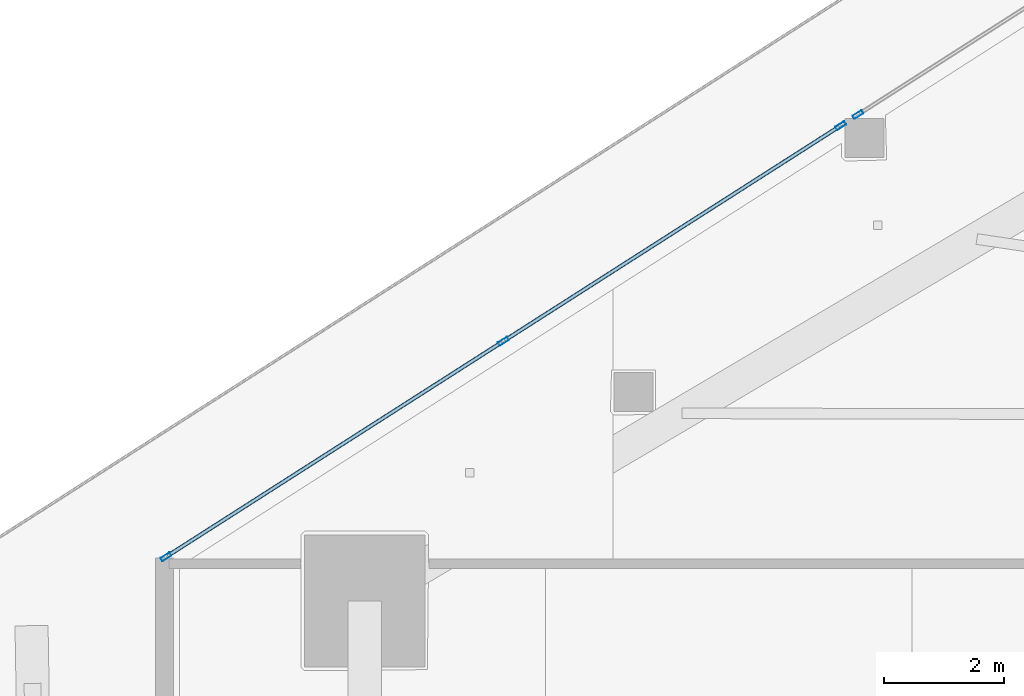
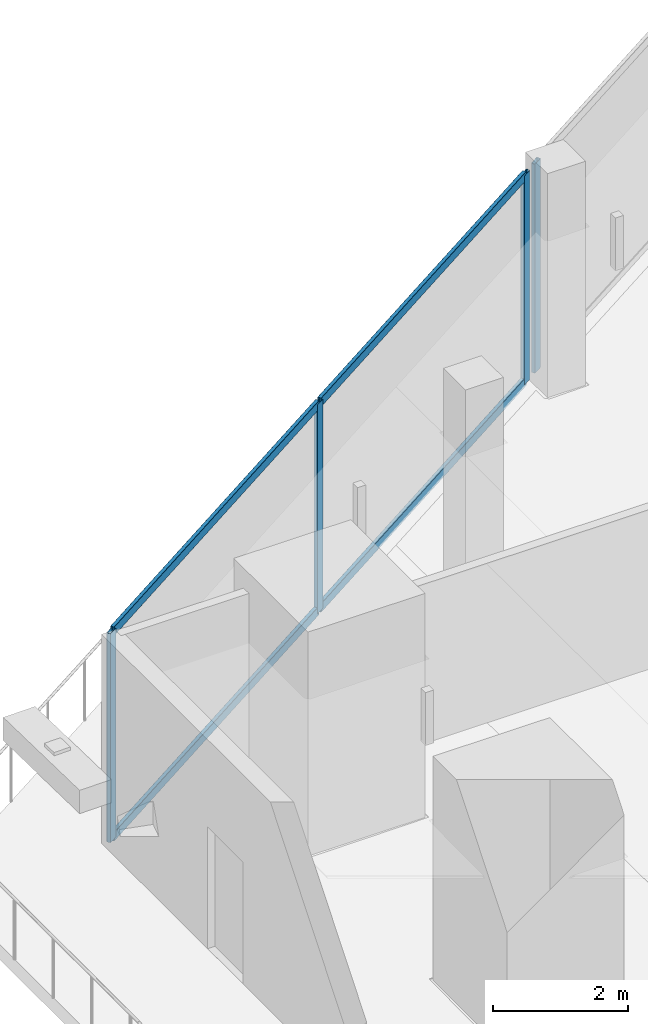
# One storey, part 14 of 39: 8 members, 2 elements without a shape of their own.
"""IFC4 building model written with IfcOpenShell, lengths in metres."""

from ifc_helpers import new_model, si_unit, direction, frame, origin, origin_2d, place, context, subcontext, project, spatial, hollow_rectangle, extrude, material, layer, layer_set, material_profile, profile_set, type_object, element, aggregate, save


model = new_model("IFC4")

# Units and contexts
model_context = context("Model", 3, precision=1e-05, world=origin(), true_north=direction((0.0, 1.0)))
body_context = subcontext(model_context, "Body", "Model", "MODEL_VIEW")
ifc_project = project(units=[si_unit("LENGTHUNIT", "METRE"), si_unit("AREAUNIT", "SQUARE_METRE"), si_unit("VOLUMEUNIT", "CUBIC_METRE"), si_unit("PLANEANGLEUNIT", "RADIAN"), si_unit("MASSUNIT", "GRAM", prefix="KILO")], contexts=[model_context])

# Site, building, storey
site_placement = place(None, origin())
site = spatial("IfcSite", under=ifc_project, at=site_placement, CompositionType="ELEMENT")
building_placement = place(site_placement, origin())
building = spatial("IfcBuilding", under=site, at=building_placement, Name="Qorvath Tower", CompositionType="ELEMENT")
storey_placement = place(building_placement, frame((0.0, 0.0, 162.449951171875)))
storey = spatial("IfcBuildingStorey", under=building, at=storey_placement, Name="L37", CompositionType="ELEMENT", Elevation=162.449951171875)

# Curtain wall, member
ifc_material_1 = material(Name="Anodised aluminium and triple low-E glass", Category="aluminium")
ifc_layer = layer(ifc_material_1, 0.179931640625)
ifc_layer_set = layer_set([ifc_layer], Name="CW-SYS-3")
curtain_wall_type = type_object("IfcCurtainWallType", Name="CW-SYS-3", PredefinedType="NOTDEFINED", material=ifc_layer_set)
curtain_wall_1_placement = place(storey_placement, origin())
curtain_wall_1 = element("IfcCurtainWall", 1, at=curtain_wall_1_placement, inside=storey, type_object=curtain_wall_type, Name="Curtain Wall CW-3 CW-T-L37-16.2", PredefinedType="NOTDEFINED")
ifc_material_2 = material(Name="Anodised aluminium 6063-T6", Category="aluminium")
ifc_material_profile_1 = material_profile(ifc_material_2, hollow_rectangle(XDim=0.06494140625, YDim=0.179931640625, WallThickness=0.00341796875, InnerFilletRadius=0.00341796875, OuterFilletRadius=0.007080078125, at=origin_2d()), Name="CWM 180x65")
ifc_profile_set_1 = profile_set([ifc_material_profile_1], Name="Anodised aluminium 6063-T6")
member_type_1 = type_object("IfcMemberType", Name="CWM-180", PredefinedType="MULLION", material=ifc_profile_set_1)
member_1_placement = place(storey_placement, frame((-44.84619140625, 11.039794921875, 0.0), z_axis=(0.0, 0.0, 1.0), x_axis=(0.53853949052, -0.842600271273, 0.0)))
member_1 = element("IfcMember", 2, at=member_1_placement, type_object=member_type_1, Name="CW-3 mullion 4", PredefinedType="MULLION", context=body_context, shape_type="SweptSolid", body=[
    extrude(hollow_rectangle(XDim=0.06494140625, YDim=0.179931640625, WallThickness=0.00341796875, InnerFilletRadius=0.00341796875, OuterFilletRadius=0.007080078125, at=origin_2d()), origin(), (0.0, 0.0, 1.0), 3.780029296875),
])
aggregate(curtain_wall_1, [member_1])

# Curtain wall, members
curtain_wall_2_placement = place(storey_placement, origin())
curtain_wall_2 = element("IfcCurtainWall", 3, at=curtain_wall_2_placement, inside=storey, type_object=curtain_wall_type, Name="Curtain Wall CW-3 CW-T-L37-16.3", PredefinedType="NOTDEFINED")
member_2_placement = place(storey_placement, frame((-45.133544921875, 10.85595703125, 0.0), z_axis=(0.0, 0.0, 1.0), x_axis=(0.538528565454, -0.84260725382, 0.0)))
member_2 = element("IfcMember", 4, at=member_2_placement, type_object=member_type_1, Name="CW-3 mullion 1", PredefinedType="MULLION", context=body_context, shape_type="SweptSolid", body=[
    extrude(hollow_rectangle(XDim=0.06494140625, YDim=0.179931640625, WallThickness=0.00341796875, InnerFilletRadius=0.00341796875, OuterFilletRadius=0.007080078125, at=origin_2d()), origin(), (0.0, 0.0, 1.0), 3.780029296875),
])
member_3_placement = place(storey_placement, frame((-50.744140625, 7.27001953125, 0.0), z_axis=(0.0, 0.0, 1.0), x_axis=(0.538528565454, -0.84260725382, 0.0)))
member_3 = element("IfcMember", 5, at=member_3_placement, type_object=member_type_1, Name="CW-3 mullion 2", PredefinedType="MULLION", context=body_context, shape_type="SweptSolid", body=[
    extrude(hollow_rectangle(XDim=0.06494140625, YDim=0.179931640625, WallThickness=0.00341796875, InnerFilletRadius=0.00341796875, OuterFilletRadius=0.007080078125, at=origin_2d()), origin(), (0.0, 0.0, 1.0), 3.780029296875),
])
member_4_placement = place(storey_placement, frame((-56.35498046875, 3.68408203125, 0.0), z_axis=(0.0, 0.0, 1.0), x_axis=(0.538528565454, -0.84260725382, 0.0)))
member_4 = element("IfcMember", 6, at=member_4_placement, type_object=member_type_1, Name="CW-3 mullion 3", PredefinedType="MULLION", context=body_context, shape_type="SweptSolid", body=[
    extrude(hollow_rectangle(XDim=0.06494140625, YDim=0.179931640625, WallThickness=0.00341796875, InnerFilletRadius=0.00341796875, OuterFilletRadius=0.007080078125, at=origin_2d()), origin(), (0.0, 0.0, 1.0), 3.780029296875),
])
ifc_material_3 = material(Name="Anodised aluminium 6063-T6", Category="aluminium")
ifc_material_profile_2 = material_profile(ifc_material_3, hollow_rectangle(XDim=0.06494140625, YDim=0.159912109375, WallThickness=0.00341796875, InnerFilletRadius=0.00341796875, OuterFilletRadius=0.007080078125, at=origin_2d()), Name="CWT 160x65")
ifc_profile_set_2 = profile_set([ifc_material_profile_2], Name="Anodised aluminium 6063-T6")
member_type_2 = type_object("IfcMemberType", Name="CWT-160", PredefinedType="USERDEFINED", material=ifc_profile_set_2)
member_5_placement = place(storey_placement, frame((-45.160888671875, 10.83837890625, 0.032470703125), z_axis=(-0.842615522093, -0.538515628304, 0.0), x_axis=(0.538515628304, -0.842615522093, 0.0)))
member_5 = element("IfcMember", 7, at=member_5_placement, type_object=member_type_2, Name="CW-3 transom 1.1", ObjectType="TRANSOM", PredefinedType="USERDEFINED", context=body_context, shape_type="SweptSolid", body=[
    extrude(hollow_rectangle(XDim=0.06494140625, YDim=0.159912109375, WallThickness=0.00341796875, InnerFilletRadius=0.00341796875, OuterFilletRadius=0.007080078125, at=origin_2d()), origin(), (0.0, 0.0, 1.0), 6.59375),
])
member_6_placement = place(storey_placement, frame((-45.160888671875, 10.83837890625, 3.74755859375), z_axis=(-0.842615522093, -0.538515628304, 0.0), x_axis=(0.538515628304, -0.842615522093, 0.0)))
member_6 = element("IfcMember", 8, at=member_6_placement, type_object=member_type_2, Name="CW-3 transom 1.2", ObjectType="TRANSOM", PredefinedType="USERDEFINED", context=body_context, shape_type="SweptSolid", body=[
    extrude(hollow_rectangle(XDim=0.06494140625, YDim=0.159912109375, WallThickness=0.00341796875, InnerFilletRadius=0.00341796875, OuterFilletRadius=0.007080078125, at=origin_2d()), origin(), (0.0, 0.0, 1.0), 6.59375),
])
member_7_placement = place(storey_placement, frame((-50.771728515625, 7.252685546875, 0.032470703125), z_axis=(-0.842598720744, -0.538541916475, 0.0), x_axis=(0.538541916475, -0.842598720744, 0.0)))
member_7 = element("IfcMember", 9, at=member_7_placement, type_object=member_type_2, Name="CW-3 transom 2.1", ObjectType="TRANSOM", PredefinedType="USERDEFINED", context=body_context, shape_type="SweptSolid", body=[
    extrude(hollow_rectangle(XDim=0.06494140625, YDim=0.159912109375, WallThickness=0.00341796875, InnerFilletRadius=0.00341796875, OuterFilletRadius=0.007080078125, at=origin_2d()), origin(), (0.0, 0.0, 1.0), 6.59375),
])
member_8_placement = place(storey_placement, frame((-50.771728515625, 7.252685546875, 3.74755859375), z_axis=(-0.842598720744, -0.538541916475, 0.0), x_axis=(0.538541916475, -0.842598720744, 0.0)))
member_8 = element("IfcMember", 10, at=member_8_placement, type_object=member_type_2, Name="CW-3 transom 2.2", ObjectType="TRANSOM", PredefinedType="USERDEFINED", context=body_context, shape_type="SweptSolid", body=[
    extrude(hollow_rectangle(XDim=0.06494140625, YDim=0.159912109375, WallThickness=0.00341796875, InnerFilletRadius=0.00341796875, OuterFilletRadius=0.007080078125, at=origin_2d()), origin(), (0.0, 0.0, 1.0), 6.59375),
])
aggregate(curtain_wall_2, [member_2, member_3, member_4, member_5, member_6, member_7, member_8])

save(model, "model.ifc")
